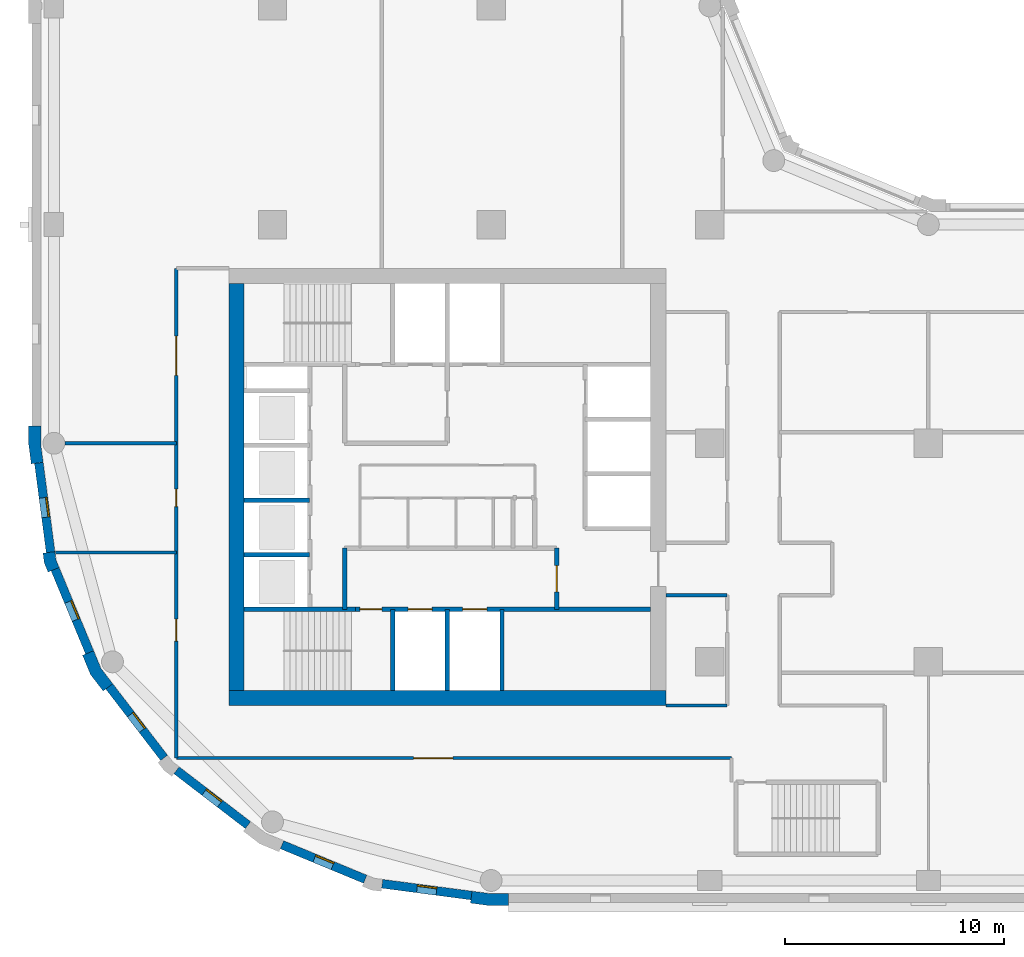
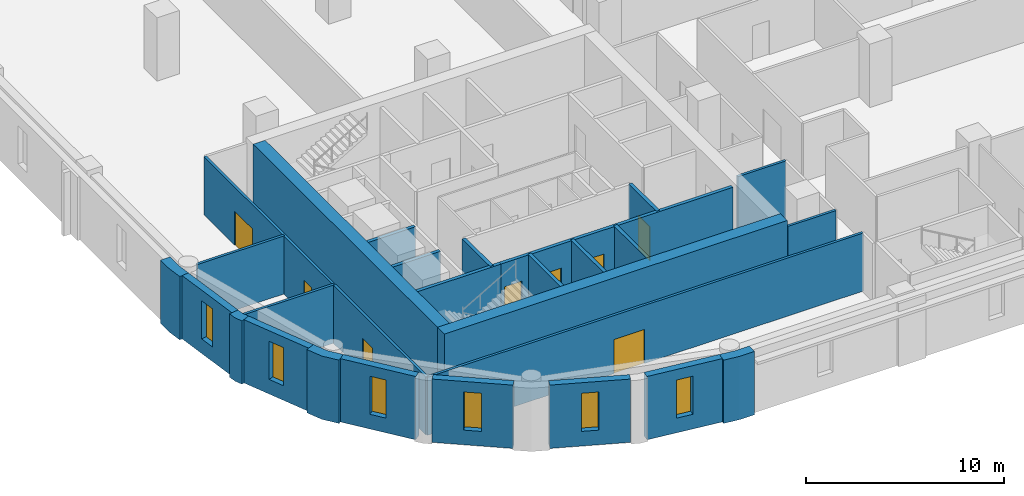
# One storey, part 2 of 9: 27 walls, 8 doors, 6 windows, 14 openings.
"""IFC4 building model written with IfcOpenShell, lengths in metres."""

from ifc_helpers import new_model, si_unit, direction, frame, frame_2d, origin, place, context, subcontext, project, spatial, polyline, rectangle, outline, extrude, material, layer, layer_set, type_object, element, fill, save


model = new_model("IFC4")

# Units and contexts
model_context = context("Model", 3, precision=1e-05, world=origin(), true_north=direction((0.0, 1.0)))
body_context = subcontext(model_context, "Body", "Model", "MODEL_VIEW")
ifc_project = project(units=[si_unit("LENGTHUNIT", "METRE"), si_unit("AREAUNIT", "SQUARE_METRE"), si_unit("VOLUMEUNIT", "CUBIC_METRE"), si_unit("PLANEANGLEUNIT", "RADIAN"), si_unit("MASSUNIT", "GRAM", prefix="KILO")], contexts=[model_context])

# Site, building, storey
site_placement = place(None, origin())
site = spatial("IfcSite", under=ifc_project, at=site_placement, CompositionType="ELEMENT")
building_placement = place(site_placement, origin())
building = spatial("IfcBuilding", under=site, at=building_placement, Name="Qaws Garden Tower", CompositionType="ELEMENT")
storey_placement = place(building_placement, frame((0.0, 0.0, 221.39990234375)))
storey = spatial("IfcBuildingStorey", under=building, at=storey_placement, Name="L54", CompositionType="ELEMENT", Elevation=221.39990234375)

# Wall, opening, window
ifc_material_1 = material(Name="Clay facing brick masonry", Category="masonry")
ifc_layer_1 = layer(ifc_material_1, 0.39990234375)
ifc_layer_set_1 = layer_set([ifc_layer_1], Name="Clay facing brick masonry")
wall_type_1 = type_object("IfcWallType", Name="Brick infill wall 400", PredefinedType="SOLIDWALL", material=ifc_layer_set_1)
wall_1_placement = place(storey_placement, frame((-0.688720703125, 19.102294921875, 0.0), z_axis=(0.0, 0.0, 1.0), x_axis=(0.130514280502, -0.991446429508, 0.0)))
wall_1 = element("IfcWall", 1, at=wall_1_placement, inside=storey, type_object=wall_type_1, Name="E-L54-infill-25", PredefinedType="SOLIDWALL", context=body_context, shape_type="SweptSolid", body=[
    extrude(rectangle(XDim=4.120849609375, YDim=0.39990234375, at=frame_2d((2.060546875, 0.0))), origin(), (0.0, 0.0, 1.0), 3.900146484375),
])
opening_1_placement = place(wall_1_placement, frame((1.610595703125, 0.0, 0.89990234375)))
opening_1 = element("IfcOpeningElement", 2, at=opening_1_placement, cuts=wall_1, Name="Opening W09", PredefinedType="OPENING", context=body_context, shape_type="SweptSolid", body=[
    extrude(rectangle(XDim=0.89990234375, YDim=2.35009765625, at=frame_2d((0.449951171875, 1.175048828125))), frame((0.0, 0.2099609375, 0.0), z_axis=(0.0, -1.0, 0.0), x_axis=(1.0, 0.0, 0.0)), (0.0, 0.0, 1.0), 0.419921875),
])
ifc_material_2 = material(Name="Aluminium framed window, clear glazing", Category="aluminium")
window_type = type_object("IfcWindowType", Name="Slit window 900 x 2350", PartitioningType="SINGLE_PANEL", PredefinedType="WINDOW", material=ifc_material_2)
window_1_placement = place(opening_1_placement, origin())
window_1 = element("IfcWindow", 3, at=window_1_placement, inside=storey, type_object=window_type, Name="E-L54-window-25-0", OverallHeight=2.35009765625, OverallWidth=0.89990234375, PartitioningType="SINGLE_PANEL", PredefinedType="WINDOW", context=body_context, shape_type="SweptSolid", body=[
    extrude(rectangle(XDim=0.89990234375, YDim=2.35009765625, at=frame_2d((0.449951171875, 1.175048828125))), frame((0.0, 0.159912109375, 0.0), z_axis=(0.0, -1.0, 0.0), x_axis=(1.0, 0.0, 0.0)), (0.0, 0.0, 1.0), 0.06005859375),
])
fill(opening_1, window_1)

wall_2_placement = place(storey_placement, frame((0.05712890625, 14.240234375, 0.0), z_axis=(0.0, 0.0, 1.0), x_axis=(0.382721546029, -0.923863744394, 0.0)))
wall_2 = element("IfcWall", 4, at=wall_2_placement, inside=storey, type_object=wall_type_1, Name="E-L54-infill-26", PredefinedType="SOLIDWALL", context=body_context, shape_type="SweptSolid", body=[
    extrude(rectangle(XDim=4.120849609375, YDim=0.39990234375, at=frame_2d((2.060546875, 0.0))), origin(), (0.0, 0.0, 1.0), 3.900146484375),
])
opening_2_placement = place(wall_2_placement, frame((1.610595703125, 0.0, 0.89990234375)))
opening_2 = element("IfcOpeningElement", 5, at=opening_2_placement, cuts=wall_2, Name="Opening W09", PredefinedType="OPENING", context=body_context, shape_type="SweptSolid", body=[
    extrude(rectangle(XDim=0.89990234375, YDim=2.35009765625, at=frame_2d((0.449951171875, 1.175048828125))), frame((0.0, 0.2099609375, 0.0), z_axis=(0.0, -1.0, 0.0), x_axis=(1.0, 0.0, 0.0)), (0.0, 0.0, 1.0), 0.419921875),
])
window_2_placement = place(opening_2_placement, origin())
window_2 = element("IfcWindow", 6, at=window_2_placement, inside=storey, type_object=window_type, Name="E-L54-window-26-0", OverallHeight=2.35009765625, OverallWidth=0.89990234375, PartitioningType="SINGLE_PANEL", PredefinedType="WINDOW", context=body_context, shape_type="SweptSolid", body=[
    extrude(rectangle(XDim=0.89990234375, YDim=2.35009765625, at=frame_2d((0.449951171875, 1.175048828125))), frame((0.0, 0.159912109375, 0.0), z_axis=(0.0, -1.0, 0.0), x_axis=(1.0, 0.0, 0.0)), (0.0, 0.0, 1.0), 0.06005859375),
])
fill(opening_2, window_2)

wall_3_placement = place(storey_placement, frame((2.53173828125, 8.87841796875, 0.0), z_axis=(0.0, 0.0, 1.0), x_axis=(0.608759824817, -0.793354571229, 0.0)))
wall_3 = element("IfcWall", 7, at=wall_3_placement, inside=storey, type_object=wall_type_1, Name="E-L54-infill-27", PredefinedType="SOLIDWALL", context=body_context, shape_type="SweptSolid", body=[
    extrude(rectangle(XDim=4.12109375, YDim=0.39990234375, at=frame_2d((2.060546875, 0.0))), origin(), (0.0, 0.0, 1.0), 3.900146484375),
])
opening_3_placement = place(wall_3_placement, frame((1.610595703125, 0.0, 0.89990234375)))
opening_3 = element("IfcOpeningElement", 8, at=opening_3_placement, cuts=wall_3, Name="Opening W09", PredefinedType="OPENING", context=body_context, shape_type="SweptSolid", body=[
    extrude(rectangle(XDim=0.89990234375, YDim=2.35009765625, at=frame_2d((0.449951171875, 1.175048828125))), frame((0.0, 0.2099609375, 0.0), z_axis=(0.0, -1.0, 0.0), x_axis=(1.0, 0.0, 0.0)), (0.0, 0.0, 1.0), 0.419921875),
])
window_3_placement = place(opening_3_placement, origin())
window_3 = element("IfcWindow", 9, at=window_3_placement, inside=storey, type_object=window_type, Name="E-L54-window-27-0", OverallHeight=2.35009765625, OverallWidth=0.89990234375, PartitioningType="SINGLE_PANEL", PredefinedType="WINDOW", context=body_context, shape_type="SweptSolid", body=[
    extrude(rectangle(XDim=0.89990234375, YDim=2.35009765625, at=frame_2d((0.449951171875, 1.175048828125))), frame((0.0, 0.159912109375, 0.0), z_axis=(0.0, -1.0, 0.0), x_axis=(1.0, 0.0, 0.0)), (0.0, 0.0, 1.0), 0.06005859375),
])
fill(opening_3, window_3)

wall_4_placement = place(storey_placement, frame((5.60888671875, 5.04052734375, 0.0), z_axis=(0.0, 0.0, 1.0), x_axis=(0.793354571229, -0.608759824817, 0.0)))
wall_4 = element("IfcWall", 10, at=wall_4_placement, inside=storey, type_object=wall_type_1, Name="E-L54-infill-28", PredefinedType="SOLIDWALL", context=body_context, shape_type="SweptSolid", body=[
    extrude(rectangle(XDim=4.12109375, YDim=0.39990234375, at=frame_2d((2.060546875, 0.0))), origin(), (0.0, 0.0, 1.0), 3.900146484375),
])
opening_4_placement = place(wall_4_placement, frame((1.610595703125, 0.0, 0.89990234375)))
opening_4 = element("IfcOpeningElement", 11, at=opening_4_placement, cuts=wall_4, Name="Opening W09", PredefinedType="OPENING", context=body_context, shape_type="SweptSolid", body=[
    extrude(rectangle(XDim=0.89990234375, YDim=2.35009765625, at=frame_2d((0.449951171875, 1.175048828125))), frame((0.0, 0.2099609375, 0.0), z_axis=(0.0, -1.0, 0.0), x_axis=(1.0, 0.0, 0.0)), (0.0, 0.0, 1.0), 0.419921875),
])
window_4_placement = place(opening_4_placement, origin())
window_4 = element("IfcWindow", 12, at=window_4_placement, inside=storey, type_object=window_type, Name="E-L54-window-28-0", OverallHeight=2.35009765625, OverallWidth=0.89990234375, PartitioningType="SINGLE_PANEL", PredefinedType="WINDOW", context=body_context, shape_type="SweptSolid", body=[
    extrude(rectangle(XDim=0.89990234375, YDim=2.35009765625, at=frame_2d((0.449951171875, 1.175048828125))), frame((0.0, 0.159912109375, 0.0), z_axis=(0.0, -1.0, 0.0), x_axis=(1.0, 0.0, 0.0)), (0.0, 0.0, 1.0), 0.06005859375),
])
fill(opening_4, window_4)

wall_5_placement = place(storey_placement, frame((10.43310546875, 1.63427734375, 0.0), z_axis=(0.0, 0.0, 1.0), x_axis=(0.923863744394, -0.382721546029, 0.0)))
wall_5 = element("IfcWall", 13, at=wall_5_placement, inside=storey, type_object=wall_type_1, Name="E-L54-infill-29", PredefinedType="SOLIDWALL", context=body_context, shape_type="SweptSolid", body=[
    extrude(rectangle(XDim=4.120849609375, YDim=0.39990234375, at=frame_2d((2.060546875, 0.0))), origin(), (0.0, 0.0, 1.0), 3.900146484375),
])
opening_5_placement = place(wall_5_placement, frame((1.610595703125, 0.0, 0.89990234375)))
opening_5 = element("IfcOpeningElement", 14, at=opening_5_placement, cuts=wall_5, Name="Opening W09", PredefinedType="OPENING", context=body_context, shape_type="SweptSolid", body=[
    extrude(rectangle(XDim=0.89990234375, YDim=2.35009765625, at=frame_2d((0.449951171875, 1.175048828125))), frame((0.0, 0.2099609375, 0.0), z_axis=(0.0, -1.0, 0.0), x_axis=(1.0, 0.0, 0.0)), (0.0, 0.0, 1.0), 0.419921875),
])
window_5_placement = place(opening_5_placement, origin())
window_5 = element("IfcWindow", 15, at=window_5_placement, inside=storey, type_object=window_type, Name="E-L54-window-29-0", OverallHeight=2.35009765625, OverallWidth=0.89990234375, PartitioningType="SINGLE_PANEL", PredefinedType="WINDOW", context=body_context, shape_type="SweptSolid", body=[
    extrude(rectangle(XDim=0.89990234375, YDim=2.35009765625, at=frame_2d((0.449951171875, 1.175048828125))), frame((0.0, 0.159912109375, 0.0), z_axis=(0.0, -1.0, 0.0), x_axis=(1.0, 0.0, 0.0)), (0.0, 0.0, 1.0), 0.06005859375),
])
fill(opening_5, window_5)

wall_6_placement = place(storey_placement, frame((15.0166015625, -0.15087890625, 0.0), z_axis=(0.0, 0.0, 1.0), x_axis=(0.991446429508, -0.130514280502, 0.0)))
wall_6 = element("IfcWall", 16, at=wall_6_placement, inside=storey, type_object=wall_type_1, Name="E-L54-infill-30", PredefinedType="SOLIDWALL", context=body_context, shape_type="SweptSolid", body=[
    extrude(rectangle(XDim=4.120849609375, YDim=0.39990234375, at=frame_2d((2.060546875, 0.0))), origin(), (0.0, 0.0, 1.0), 3.900146484375),
])
opening_6_placement = place(wall_6_placement, frame((1.610595703125, 0.0, 0.89990234375)))
opening_6 = element("IfcOpeningElement", 17, at=opening_6_placement, cuts=wall_6, Name="Opening W09", PredefinedType="OPENING", context=body_context, shape_type="SweptSolid", body=[
    extrude(rectangle(XDim=0.89990234375, YDim=2.35009765625, at=frame_2d((0.449951171875, 1.175048828125))), frame((0.0, 0.2099609375, 0.0), z_axis=(0.0, -1.0, 0.0), x_axis=(1.0, 0.0, 0.0)), (0.0, 0.0, 1.0), 0.419921875),
])
window_6_placement = place(opening_6_placement, origin())
window_6 = element("IfcWindow", 18, at=window_6_placement, inside=storey, type_object=window_type, Name="E-L54-window-30-0", OverallHeight=2.35009765625, OverallWidth=0.89990234375, PartitioningType="SINGLE_PANEL", PredefinedType="WINDOW", context=body_context, shape_type="SweptSolid", body=[
    extrude(rectangle(XDim=0.89990234375, YDim=2.35009765625, at=frame_2d((0.449951171875, 1.175048828125))), frame((0.0, 0.159912109375, 0.0), z_axis=(0.0, -1.0, 0.0), x_axis=(1.0, 0.0, 0.0)), (0.0, 0.0, 1.0), 0.06005859375),
])
fill(opening_6, window_6)

# Walls
ifc_material_3 = material(Name="Clay facing brick masonry", Category="masonry")
ifc_layer_2 = layer(ifc_material_3, 0.550048828125)
ifc_layer_set_2 = layer_set([ifc_layer_2], Name="Clay facing brick masonry")
wall_type_2 = type_object("IfcWallType", Name="Brick kink pier 550 x 600", PredefinedType="SOLIDWALL", material=ifc_layer_set_2)
placement = place(storey_placement, origin())
element("IfcWall", 19, at=placement, inside=storey, type_object=wall_type_2, Name="E-L54-pier-26", PredefinedType="SOLIDWALL", context=body_context, shape_type="SweptSolid", body=[
    extrude(outline(polyline([(-0.34912109375, 14.990478515625), (-0.497802734375, 14.970947265625), (-0.43896484375, 14.5234375), (-0.26611328125, 14.1064453125), (-0.127685546875, 14.163818359375), (0.241943359375, 14.31689453125), (0.096923828125, 14.6669921875), (0.04736328125, 15.042724609375), (-0.34912109375, 14.990478515625)])), origin(), (0.0, 0.0, 1.0), 3.900146484375),
])
ifc_material_4 = material(Name="Clay facing brick masonry", Category="masonry")
ifc_layer_3 = layer(ifc_material_4, 0.550048828125)
ifc_layer_set_3 = layer_set([ifc_layer_3], Name="Clay facing brick masonry")
wall_type_3 = type_object("IfcWallType", Name="Brick pier 550 x 1600", PredefinedType="SOLIDWALL", material=ifc_layer_set_3)
element("IfcWall", 20, at=placement, inside=storey, type_object=wall_type_3, Name="E-L54-pier-00", PredefinedType="SOLIDWALL", context=body_context, shape_type="SweptSolid", body=[
    extrude(outline(polyline([(19.076416015625, -0.886962890625), (19.056640625, -1.03564453125), (19.924560546875, -1.14990234375), (20.800048828125, -1.14990234375), (20.800048828125, -1.0), (20.800048828125, -0.60009765625), (19.960693359375, -0.60009765625), (19.12841796875, -0.490478515625), (19.076416015625, -0.886962890625)])), origin(), (0.0, 0.0, 1.0), 3.900146484375),
])
element("IfcWall", 21, at=placement, inside=storey, type_object=wall_type_3, Name="E-L54-pier-25", PredefinedType="SOLIDWALL", context=body_context, shape_type="SweptSolid", body=[
    extrude(outline(polyline([(-1.0, 20.800048828125), (-1.14990234375, 20.800048828125), (-1.14990234375, 19.924560546875), (-1.03564453125, 19.056640625), (-0.886962890625, 19.076416015625), (-0.490478515625, 19.12841796875), (-0.60009765625, 19.960693359375), (-0.60009765625, 20.800048828125), (-1.0, 20.800048828125)])), origin(), (0.0, 0.0, 1.0), 3.900146484375),
])
element("IfcWall", 22, at=placement, inside=storey, type_object=wall_type_3, Name="E-L54-pier-27", PredefinedType="SOLIDWALL", context=body_context, shape_type="SweptSolid", body=[
    extrude(outline(polyline([(1.449462890625, 10.3564453125), (1.310791015625, 10.299072265625), (1.675048828125, 9.419921875), (2.254150390625, 8.665283203125), (2.373046875, 8.756591796875), (2.6904296875, 9.0), (2.1552734375, 9.697509765625), (1.819091796875, 10.509521484375), (1.449462890625, 10.3564453125)])), origin(), (0.0, 0.0, 1.0), 3.900146484375),
])
ifc_material_5 = material(Name="Concrete C70", Category="concrete")
ifc_layer_4 = layer(ifc_material_5, 0.199951171875)
ifc_layer_set_4 = layer_set([ifc_layer_4], Name="Concrete C70")
wall_type_4 = type_object("IfcWallType", Name="Core shaft wall 200 C70", PredefinedType="SHEAR", material=ifc_layer_set_4)
wall_11_placement = place(storey_placement, frame((8.699951171875, 12.39990234375, 0.0), z_axis=(0.0, 0.0, 1.0), x_axis=(1.0, 0.0, 0.0)))
element("IfcWall", 23, at=wall_11_placement, inside=storey, type_object=wall_type_4, Name="Shaft wall", PredefinedType="SHEAR", context=body_context, shape_type="SweptSolid", body=[
    extrude(rectangle(XDim=5.10009765625, YDim=0.199951171875, at=frame_2d((2.550048828125, 0.0))), origin(), (0.0, 0.0, 1.0), 3.580078125),
])

# Wall, openings, doors
wall_12_placement = place(storey_placement, frame((13.800048828125, 12.39990234375, 0.0), z_axis=(0.0, 0.0, 1.0), x_axis=(1.0, 0.0, 0.0)))
wall_12 = element("IfcWall", 24, at=wall_12_placement, inside=storey, type_object=wall_type_4, Name="Shaft wall", PredefinedType="SHEAR", context=body_context, shape_type="SweptSolid", body=[
    extrude(rectangle(XDim=13.5, YDim=0.199951171875, at=frame_2d((6.75, 0.0))), origin(), (0.0, 0.0, 1.0), 3.580078125),
])
opening_7_placement = place(wall_12_placement, frame((2.39990234375, 0.0, 0.0)))
opening_7 = element("IfcOpeningElement", 25, at=opening_7_placement, cuts=wall_12, Name="Opening LD06", PredefinedType="OPENING", context=body_context, shape_type="SweptSolid", body=[
    extrude(rectangle(XDim=1.10009765625, YDim=2.10009765625, at=frame_2d((0.550048828125, 1.050048828125))), frame((0.0, 0.10986328125, 0.0), z_axis=(0.0, -1.0, 0.0), x_axis=(1.0, 0.0, 0.0)), (0.0, 0.0, 1.0), 0.219970703125),
])
opening_8_placement = place(wall_12_placement, frame((4.89990234375, 0.0, 0.0)))
opening_8 = element("IfcOpeningElement", 26, at=opening_8_placement, cuts=wall_12, Name="Opening LD07", PredefinedType="OPENING", context=body_context, shape_type="SweptSolid", body=[
    extrude(rectangle(XDim=1.10009765625, YDim=2.10009765625, at=frame_2d((0.550048828125, 1.050048828125))), frame((0.0, 0.10986328125, 0.0), z_axis=(0.0, -1.0, 0.0), x_axis=(1.0, 0.0, 0.0)), (0.0, 0.0, 1.0), 0.219970703125),
])
opening_9_placement = place(wall_12_placement, frame((0.199951171875, 0.0, 0.0)))
opening_9 = element("IfcOpeningElement", 27, at=opening_9_placement, cuts=wall_12, Name="Opening SD10", PredefinedType="OPENING", context=body_context, shape_type="SweptSolid", body=[
    extrude(rectangle(XDim=1.0, YDim=2.10009765625, at=frame_2d((0.5, 1.050048828125))), frame((0.0, 0.10986328125, 0.0), z_axis=(0.0, -1.0, 0.0), x_axis=(1.0, 0.0, 0.0)), (0.0, 0.0, 1.0), 0.219970703125),
])
ifc_material_6 = material(Name="Steel S235", Category="steel")
door_type_1 = type_object("IfcDoorType", Name="Landing door 1100x2100", OperationType="DOUBLE_DOOR_SLIDING", PredefinedType="DOOR", material=ifc_material_6)
door_1_placement = place(opening_7_placement, origin())
door_1 = element("IfcDoor", 28, at=door_1_placement, inside=storey, type_object=door_type_1, Name="Lift FF1 landing door", OperationType="DOUBLE_DOOR_SLIDING", OverallHeight=2.10009765625, OverallWidth=1.10009765625, PredefinedType="DOOR", context=body_context, shape_type="SweptSolid", body=[
    extrude(rectangle(XDim=1.10009765625, YDim=2.10009765625, at=frame_2d((0.550048828125, 1.050048828125))), frame((0.0, 0.02490234375, 0.0), z_axis=(0.0, -1.0, 0.0), x_axis=(1.0, 0.0, 0.0)), (0.0, 0.0, 1.0), 0.050048828125),
])
fill(opening_7, door_1)
door_2_placement = place(opening_8_placement, origin())
door_2 = element("IfcDoor", 29, at=door_2_placement, inside=storey, type_object=door_type_1, Name="Lift FF2 landing door", OperationType="DOUBLE_DOOR_SLIDING", OverallHeight=2.10009765625, OverallWidth=1.10009765625, PredefinedType="DOOR", context=body_context, shape_type="SweptSolid", body=[
    extrude(rectangle(XDim=1.10009765625, YDim=2.10009765625, at=frame_2d((0.550048828125, 1.050048828125))), frame((0.0, 0.02490234375, 0.0), z_axis=(0.0, -1.0, 0.0), x_axis=(1.0, 0.0, 0.0)), (0.0, 0.0, 1.0), 0.050048828125),
])
fill(opening_8, door_2)
ifc_material_7 = material(Name="Steel S235", Category="steel")
door_type_2 = type_object("IfcDoorType", Name="Stair door 1000x2100", OperationType="SINGLE_SWING_RIGHT", PredefinedType="DOOR", material=ifc_material_7)
door_3_placement = place(opening_9_placement, frame((1.0, 0.0, 0.0), z_axis=(0.0, 0.0, 1.0), x_axis=(-1.0, 0.0, 0.0)))
door_3 = element("IfcDoor", 30, at=door_3_placement, inside=storey, type_object=door_type_2, Name="Stair 1 door", OperationType="SINGLE_SWING_LEFT", OverallHeight=2.10009765625, OverallWidth=1.0, PredefinedType="DOOR", context=body_context, shape_type="SweptSolid", body=[
    extrude(rectangle(XDim=1.0, YDim=2.10009765625, at=frame_2d((0.5, 1.050048828125))), frame((0.0, 0.02490234375, 0.0), z_axis=(0.0, -1.0, 0.0), x_axis=(1.0, 0.0, 0.0)), (0.0, 0.0, 1.0), 0.050048828125),
])
fill(opening_9, door_3)

# Walls
for number, where, z_axis, x_axis, name in (
    (31, (8.699951171875, 14.89990234375, 0.0), (0.0, 0.0, 1.0), (1.0, 0.0, 0.0), "Shaft wall"),
    (32, (8.699951171875, 17.39990234375, 0.0), (0.0, 0.0, 1.0), (1.0, 0.0, 0.0), "Shaft wall"),
):
    element("IfcWall", number, at=place(storey_placement, frame(where, z_axis=z_axis, x_axis=x_axis)), inside=storey, type_object=wall_type_4, Name=name, PredefinedType="SHEAR", context=body_context, shape_type="SweptSolid", body=[
        extrude(rectangle(XDim=3.0, YDim=0.199951171875, at=frame_2d((1.5, 0.0))), origin(), (0.0, 0.0, 1.0), 3.580078125),
    ])
wall_13_placement = place(storey_placement, frame((13.300048828125, 12.39990234375, 0.0), z_axis=(0.0, 0.0, 1.0), x_axis=(0.0, 1.0, 0.0)))
element("IfcWall", 33, at=wall_13_placement, inside=storey, type_object=wall_type_4, Name="Shaft wall", PredefinedType="SHEAR", context=body_context, shape_type="SweptSolid", body=[
    extrude(rectangle(XDim=2.800048828125, YDim=0.199951171875, at=frame_2d((1.39990234375, 0.0))), origin(), (0.0, 0.0, 1.0), 3.580078125),
])
for number, where, z_axis, x_axis, name in (
    (34, (15.5, 8.699951171875, 0.0), (0.0, 0.0, 1.0), (0.0, 1.0, 0.0), "Shaft wall"),
    (35, (18.0, 8.699951171875, 0.0), (0.0, 0.0, 1.0), (0.0, 1.0, 0.0), "Shaft wall"),
    (36, (20.5, 8.699951171875, 0.0), (0.0, 0.0, 1.0), (0.0, 1.0, 0.0), "Shaft wall"),
):
    element("IfcWall", number, at=place(storey_placement, frame(where, z_axis=z_axis, x_axis=x_axis)), inside=storey, type_object=wall_type_4, Name=name, PredefinedType="SHEAR", context=body_context, shape_type="SweptSolid", body=[
        extrude(rectangle(XDim=3.699951171875, YDim=0.199951171875, at=frame_2d((1.85009765625, 0.0))), origin(), (0.0, 0.0, 1.0), 3.580078125),
    ])

# Wall, opening, door
wall_14_placement = place(storey_placement, frame((23.0, 12.39990234375, 0.0), z_axis=(0.0, 0.0, 1.0), x_axis=(0.0, 1.0, 0.0)))
wall_14 = element("IfcWall", 37, at=wall_14_placement, inside=storey, type_object=wall_type_4, Name="Shaft wall", PredefinedType="SHEAR", context=body_context, shape_type="SweptSolid", body=[
    extrude(rectangle(XDim=2.800048828125, YDim=0.199951171875, at=frame_2d((1.39990234375, 0.0))), origin(), (0.0, 0.0, 1.0), 3.580078125),
])
opening_10_placement = place(wall_14_placement, frame((0.800048828125, 0.0, 0.0)))
opening_10 = element("IfcOpeningElement", 38, at=opening_10_placement, cuts=wall_14, Name="Opening FD15", PredefinedType="OPENING", context=body_context, shape_type="SweptSolid", body=[
    extrude(rectangle(XDim=1.199951171875, YDim=2.10009765625, at=frame_2d((0.60009765625, 1.050048828125))), frame((0.0, 0.10986328125, 0.0), z_axis=(0.0, -1.0, 0.0), x_axis=(1.0, 0.0, 0.0)), (0.0, 0.0, 1.0), 0.219970703125),
])
ifc_material_8 = material(Name="Steel S235", Category="steel")
door_type_3 = type_object("IfcDoorType", Name="Lobby door 1200x2100", OperationType="DOUBLE_DOOR_SINGLE_SWING", PredefinedType="DOOR", material=ifc_material_8)
door_4_placement = place(opening_10_placement, origin())
door_4 = element("IfcDoor", 39, at=door_4_placement, inside=storey, type_object=door_type_3, Name="Fire-fighting lobby door", OperationType="DOUBLE_DOOR_SINGLE_SWING", OverallHeight=2.10009765625, OverallWidth=1.199951171875, PredefinedType="DOOR", context=body_context, shape_type="SweptSolid", body=[
    extrude(rectangle(XDim=1.199951171875, YDim=2.10009765625, at=frame_2d((0.60009765625, 1.050048828125))), frame((0.0, 0.02490234375, 0.0), z_axis=(0.0, -1.0, 0.0), x_axis=(1.0, 0.0, 0.0)), (0.0, 0.0, 1.0), 0.050048828125),
])
fill(opening_10, door_4)

# Walls
ifc_material_9 = material(Name="Concrete C70", Category="concrete")
ifc_layer_5 = layer(ifc_material_9, 0.699951171875)
ifc_layer_set_5 = layer_set([ifc_layer_5], Name="Concrete C70")
wall_type_5 = type_object("IfcWallType", Name="Core wall 700 C70", PredefinedType="SHEAR", material=ifc_layer_set_5)
wall_15_placement = place(storey_placement, frame((8.0, 8.35009765625, 0.0), z_axis=(0.0, 0.0, 1.0), x_axis=(1.0, 0.0, 0.0)))
element("IfcWall", 40, at=wall_15_placement, inside=storey, type_object=wall_type_5, Name="Core wall L54 south", PredefinedType="SHEAR", context=body_context, shape_type="SweptSolid", body=[
    extrude(rectangle(XDim=20.0, YDim=0.699951171875, at=frame_2d((10.0, 0.0))), origin(), (0.0, 0.0, 1.0), 3.900146484375),
])
wall_16_placement = place(storey_placement, frame((8.35009765625, 27.300048828125, 0.0), z_axis=(0.0, 0.0, 1.0), x_axis=(0.0, -1.0, 0.0)))
element("IfcWall", 41, at=wall_16_placement, inside=storey, type_object=wall_type_5, Name="Core wall L54 west", PredefinedType="SHEAR", context=body_context, shape_type="SweptSolid", body=[
    extrude(rectangle(XDim=18.60009765625, YDim=0.699951171875, at=frame_2d((9.300048828125, 0.0))), origin(), (0.0, 0.0, 1.0), 3.900146484375),
])

# Wall, openings, doors
ifc_material_10 = material(Name="Gypsum board partition")
ifc_layer_6 = layer(ifc_material_10, 0.14990234375)
ifc_layer_set_6 = layer_set([ifc_layer_6], Name="Gypsum board partition")
wall_type_6 = type_object("IfcWallType", Name="PARTITION 150 EI 60", PredefinedType="PARTITIONING", material=ifc_layer_set_6)
wall_17_placement = place(storey_placement, frame((5.60009765625, 5.60009765625, 0.0), z_axis=(0.0, 0.0, 1.0), x_axis=(0.0, 1.0, 0.0)))
wall_17 = element("IfcWall", 42, at=wall_17_placement, inside=storey, type_object=wall_type_6, Name="O-L54-wall-003", PredefinedType="PARTITIONING", context=body_context, shape_type="SweptSolid", body=[
    extrude(rectangle(XDim=22.39990234375, YDim=0.14990234375, at=frame_2d((11.199951171875, 0.0))), origin(), (0.0, 0.0, 1.0), 3.580078125),
])
opening_11_placement = place(wall_17_placement, frame((5.35009765625, 0.0, 0.0)))
opening_11 = element("IfcOpeningElement", 43, at=opening_11_placement, cuts=wall_17, Name="Opening B801", PredefinedType="OPENING", context=body_context, shape_type="SweptSolid", body=[
    extrude(rectangle(XDim=1.0, YDim=2.10009765625, at=frame_2d((0.5, 1.050048828125))), frame((0.0, 0.0849609375, 0.0), z_axis=(0.0, -1.0, 0.0), x_axis=(1.0, 0.0, 0.0)), (0.0, 0.0, 1.0), 0.169921875),
])
opening_12_placement = place(wall_17_placement, frame((11.5, 0.0, 0.0)))
opening_12 = element("IfcOpeningElement", 44, at=opening_12_placement, cuts=wall_17, Name="Opening B802", PredefinedType="OPENING", context=body_context, shape_type="SweptSolid", body=[
    extrude(rectangle(XDim=0.800048828125, YDim=2.10009765625, at=frame_2d((0.39990234375, 1.050048828125))), frame((0.0, 0.0849609375, 0.0), z_axis=(0.0, -1.0, 0.0), x_axis=(1.0, 0.0, 0.0)), (0.0, 0.0, 1.0), 0.169921875),
])
opening_13_placement = place(wall_17_placement, frame((17.5, 0.0, 0.0)))
opening_13 = element("IfcOpeningElement", 45, at=opening_13_placement, cuts=wall_17, Name="Opening B804", PredefinedType="OPENING", context=body_context, shape_type="SweptSolid", body=[
    extrude(rectangle(XDim=1.800048828125, YDim=2.10009765625, at=frame_2d((0.89990234375, 1.050048828125))), frame((0.0, 0.0849609375, 0.0), z_axis=(0.0, -1.0, 0.0), x_axis=(1.0, 0.0, 0.0)), (0.0, 0.0, 1.0), 0.169921875),
])
ifc_material_11 = material(Name="Timber door leaf", Category="wood")
door_type_4 = type_object("IfcDoorType", Name="DOUBLE DOOR 1800 X 2100", OperationType="DOUBLE_DOOR_SINGLE_SWING", PredefinedType="DOOR", material=ifc_material_11)
door_5_placement = place(opening_13_placement, origin())
door_5 = element("IfcDoor", 46, at=door_5_placement, inside=storey, type_object=door_type_4, Name="O-L54-door-004", OperationType="DOUBLE_DOOR_SINGLE_SWING", OverallHeight=2.10009765625, OverallWidth=1.800048828125, PredefinedType="DOOR", context=body_context, shape_type="SweptSolid", body=[
    extrude(rectangle(XDim=1.800048828125, YDim=2.10009765625, at=frame_2d((0.89990234375, 1.050048828125))), frame((0.0, 0.02490234375, 0.0), z_axis=(0.0, -1.0, 0.0), x_axis=(1.0, 0.0, 0.0)), (0.0, 0.0, 1.0), 0.050048828125),
])
fill(opening_13, door_5)
ifc_material_12 = material(Name="Timber door leaf", Category="wood")
door_type_5 = type_object("IfcDoorType", Name="STORE DOOR 800 X 2100", OperationType="SINGLE_SWING_LEFT", PredefinedType="DOOR", material=ifc_material_12)
door_6_placement = place(opening_12_placement, origin())
door_6 = element("IfcDoor", 47, at=door_6_placement, inside=storey, type_object=door_type_5, Name="O-L54-door-002", OperationType="SINGLE_SWING_RIGHT", OverallHeight=2.10009765625, OverallWidth=0.800048828125, PredefinedType="DOOR", context=body_context, shape_type="SweptSolid", body=[
    extrude(rectangle(XDim=0.800048828125, YDim=2.10009765625, at=frame_2d((0.39990234375, 1.050048828125))), frame((0.0, 0.02490234375, 0.0), z_axis=(0.0, -1.0, 0.0), x_axis=(1.0, 0.0, 0.0)), (0.0, 0.0, 1.0), 0.050048828125),
])
fill(opening_12, door_6)
ifc_material_13 = material(Name="Timber door leaf", Category="wood")
door_type_6 = type_object("IfcDoorType", Name="TENANCY ENTRANCE DOOR 1000 X 2100", OperationType="SINGLE_SWING_LEFT", PredefinedType="DOOR", material=ifc_material_13)
door_7_placement = place(opening_11_placement, origin())
door_7 = element("IfcDoor", 48, at=door_7_placement, inside=storey, type_object=door_type_6, Name="O-L54-door-001", OperationType="SINGLE_SWING_RIGHT", OverallHeight=2.10009765625, OverallWidth=1.0, PredefinedType="DOOR", context=body_context, shape_type="SweptSolid", body=[
    extrude(rectangle(XDim=1.0, YDim=2.10009765625, at=frame_2d((0.5, 1.050048828125))), frame((0.0, 0.02490234375, 0.0), z_axis=(0.0, -1.0, 0.0), x_axis=(1.0, 0.0, 0.0)), (0.0, 0.0, 1.0), 0.050048828125),
])
fill(opening_11, door_7)

# Wall, opening, door
wall_18_placement = place(storey_placement, frame((5.60009765625, 5.60009765625, 0.0), z_axis=(0.0, 0.0, 1.0), x_axis=(1.0, 0.0, 0.0)))
wall_18 = element("IfcWall", 49, at=wall_18_placement, inside=storey, type_object=wall_type_6, Name="O-L54-wall-021", PredefinedType="PARTITIONING", context=body_context, shape_type="SweptSolid", body=[
    extrude(rectangle(XDim=25.39990234375, YDim=0.14990234375, at=frame_2d((12.699951171875, 0.0))), origin(), (0.0, 0.0, 1.0), 3.580078125),
])
opening_14_placement = place(wall_18_placement, frame((10.85009765625, 0.0, 0.0)))
opening_14 = element("IfcOpeningElement", 50, at=opening_14_placement, cuts=wall_18, Name="Opening B808", PredefinedType="OPENING", context=body_context, shape_type="SweptSolid", body=[
    extrude(rectangle(XDim=1.800048828125, YDim=2.10009765625, at=frame_2d((0.89990234375, 1.050048828125))), frame((0.0, 0.0849609375, 0.0), z_axis=(0.0, -1.0, 0.0), x_axis=(1.0, 0.0, 0.0)), (0.0, 0.0, 1.0), 0.169921875),
])
door_8_placement = place(opening_14_placement, frame((1.800048828125, 0.0, 0.0), z_axis=(0.0, 0.0, 1.0), x_axis=(-1.0, 0.0, 0.0)))
door_8 = element("IfcDoor", 51, at=door_8_placement, inside=storey, type_object=door_type_4, Name="O-L54-door-008", OperationType="DOUBLE_DOOR_SINGLE_SWING", OverallHeight=2.10009765625, OverallWidth=1.800048828125, PredefinedType="DOOR", context=body_context, shape_type="SweptSolid", body=[
    extrude(rectangle(XDim=1.800048828125, YDim=2.10009765625, at=frame_2d((0.89990234375, 1.050048828125))), frame((0.0, 0.02490234375, 0.0), z_axis=(0.0, -1.0, 0.0), x_axis=(1.0, 0.0, 0.0)), (0.0, 0.0, 1.0), 0.050048828125),
])
fill(opening_14, door_8)

# Walls
for number, where, z_axis, x_axis, name in (
    (52, (28.0, 8.0, 0.0), (0.0, 0.0, 1.0), (1.0, 0.0, 0.0), "O-L54-wall-022"),
    (53, (28.0, 13.050048828125, 0.0), (0.0, 0.0, 1.0), (1.0, 0.0, 0.0), "O-L54-wall-026"),
):
    element("IfcWall", number, at=place(storey_placement, frame(where, z_axis=z_axis, x_axis=x_axis)), inside=storey, type_object=wall_type_6, Name=name, PredefinedType="PARTITIONING", context=body_context, shape_type="SweptSolid", body=[
        extrude(rectangle(XDim=2.799072265625, YDim=0.14990234375, at=frame_2d((1.3994140625, 0.0))), origin(), (0.0, 0.0, 1.0), 3.580078125),
    ])
wall_19_placement = place(storey_placement, frame((0.06298828125, 15.0, 0.0), z_axis=(0.0, 0.0, 1.0), x_axis=(1.0, 0.0, 0.0)))
element("IfcWall", 54, at=wall_19_placement, inside=storey, type_object=wall_type_6, Name="O-L54-wall-028", PredefinedType="PARTITIONING", context=body_context, shape_type="SweptSolid", body=[
    extrude(rectangle(XDim=5.537109375, YDim=0.14990234375, at=frame_2d((2.7685546875, 0.0))), origin(), (0.0, 0.0, 1.0), 3.580078125),
])
wall_20_placement = place(storey_placement, frame((0.5, 20.0, 0.0), z_axis=(0.0, 0.0, 1.0), x_axis=(1.0, 0.0, 0.0)))
element("IfcWall", 55, at=wall_20_placement, inside=storey, type_object=wall_type_6, Name="O-L54-wall-031", PredefinedType="PARTITIONING", context=body_context, shape_type="SweptSolid", body=[
    extrude(rectangle(XDim=5.10009765625, YDim=0.14990234375, at=frame_2d((2.550048828125, 0.0))), origin(), (0.0, 0.0, 1.0), 3.580078125),
])

save(model, "model.ifc")
